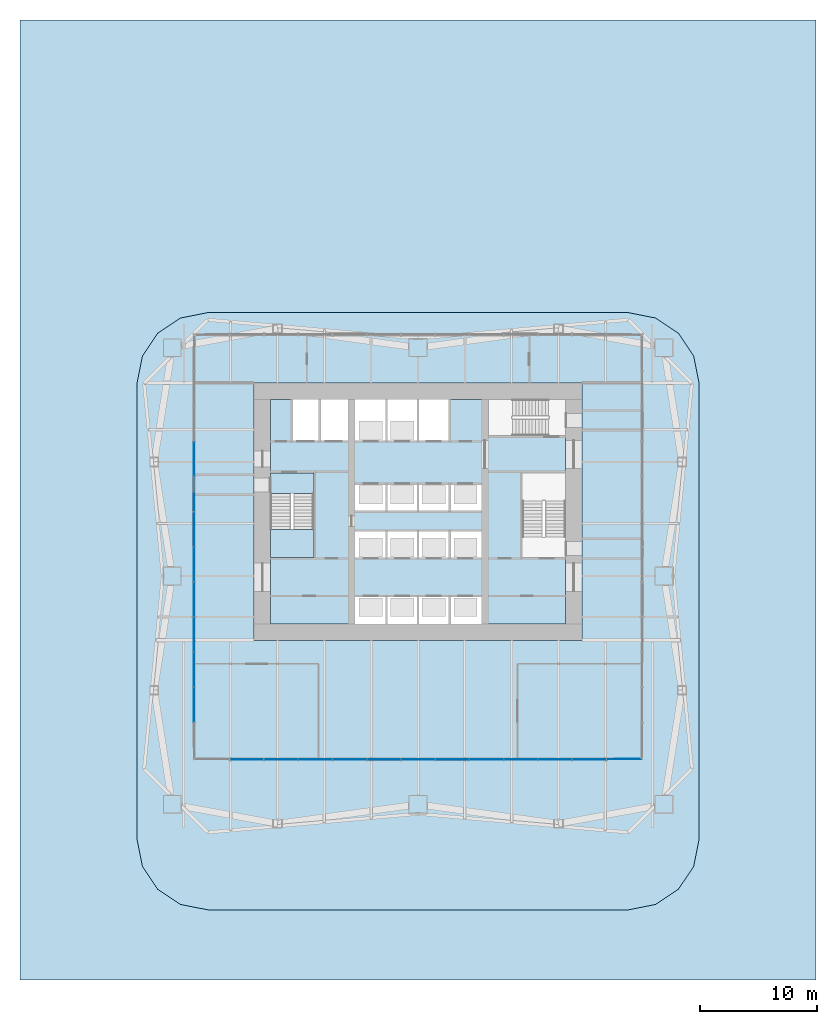
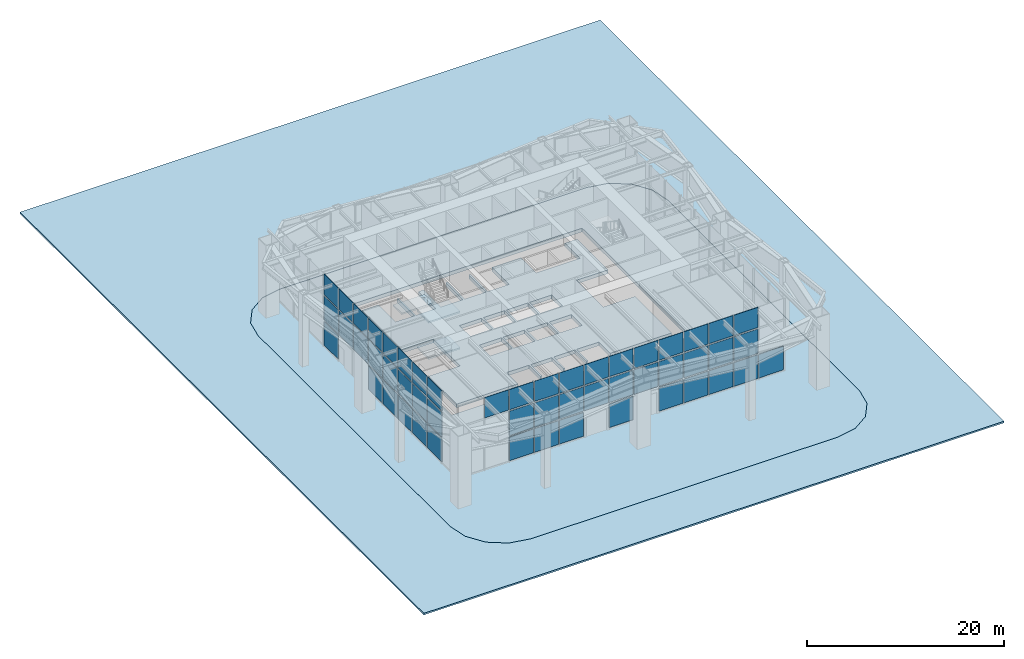
# One storey, part 5 of 13: 52 plates, 6 slabs, 3 elements without a shape of their own.
"""IFC4 building model written with IfcOpenShell, lengths in metres."""

from ifc_helpers import new_model, si_unit, direction, frame, origin, origin_2d, place, context, subcontext, project, spatial, polyline, rectangle, outline, extrude, material, layer, layer_set, type_object, element, aggregate, save


model = new_model("IFC4")

# Units and contexts
model_context = context("Model", 3, precision=1e-05, world=origin(), true_north=direction((0.0, 1.0)))
body_context = subcontext(model_context, "Body", "Model", "MODEL_VIEW")
ifc_project = project(units=[si_unit("LENGTHUNIT", "METRE"), si_unit("AREAUNIT", "SQUARE_METRE"), si_unit("VOLUMEUNIT", "CUBIC_METRE"), si_unit("PLANEANGLEUNIT", "RADIAN"), si_unit("MASSUNIT", "GRAM", prefix="KILO")], contexts=[model_context])

# Site, building, storey
site_placement = place(None, origin())
site = spatial("IfcSite", under=ifc_project, at=site_placement, CompositionType="ELEMENT")
building_placement = place(site_placement, origin())
building = spatial("IfcBuilding", under=site, at=building_placement, Name="Verdant Reach Tower", CompositionType="ELEMENT")
storey_placement = place(building_placement, origin())
storey = spatial("IfcBuildingStorey", under=building, at=storey_placement, Name="G", CompositionType="ELEMENT", Elevation=0.0)

# Stair, slabs
ifc_material_1 = material(Name="Concrete C40/50", Category="concrete")
stair_type = type_object("IfcStairType", Name="CO-STAIR", PredefinedType="HALF_TURN_STAIR", material=ifc_material_1)
stair_placement = place(storey_placement, origin())
stair = element("IfcStair", 1, at=stair_placement, inside=storey, type_object=stair_type, Name="G Exit stair 1", PredefinedType="HALF_TURN_STAIR")
ifc_layer_1 = layer(ifc_material_1, 0.199951171875)
ifc_layer_set_1 = layer_set([ifc_layer_1], Name="CO-STAIR-LANDING")
slab_type_1 = type_object("IfcSlabType", Name="CO-STAIR-LANDING", PredefinedType="LANDING", material=ifc_layer_set_1)
slab_1_placement = place(storey_placement, frame((0.0, 0.0, 2.050048828125)))
slab_1 = element("IfcSlab", 2, at=slab_1_placement, type_object=slab_type_1, Name="ST-1 landing 1", PredefinedType="LANDING", context=body_context, shape_type="SweptSolid", body=[
    extrude(outline(polyline([(-12.60009765625, 26.469970703125), (-12.60009765625, 24.10009765625), (-8.89990234375, 24.10009765625), (-8.89990234375, 26.469970703125), (-12.60009765625, 26.469970703125)])), origin(), (0.0, 0.0, 1.0), 0.199951171875),
])
slab_2_placement = place(storey_placement, frame((0.0, 0.0, 4.300048828125)))
slab_2 = element("IfcSlab", 3, at=slab_2_placement, type_object=slab_type_1, Name="ST-1 landing 2", PredefinedType="LANDING", context=body_context, shape_type="SweptSolid", body=[
    extrude(outline(polyline([(-12.60009765625, 31.300048828125), (-12.60009765625, 29.550048828125), (-8.89990234375, 29.550048828125), (-8.89990234375, 31.300048828125), (-12.60009765625, 31.300048828125)])), origin(), (0.0, 0.0, 1.0), 0.199951171875),
])
slab_3_placement = place(storey_placement, frame((0.0, 0.0, 6.550048828125)))
slab_3 = element("IfcSlab", 4, at=slab_3_placement, type_object=slab_type_1, Name="ST-1 landing 3", PredefinedType="LANDING", context=body_context, shape_type="SweptSolid", body=[
    extrude(outline(polyline([(-12.60009765625, 26.469970703125), (-12.60009765625, 24.10009765625), (-8.89990234375, 24.10009765625), (-8.89990234375, 26.469970703125), (-12.60009765625, 26.469970703125)])), origin(), (0.0, 0.0, 1.0), 0.199951171875),
])
aggregate(stair, [slab_1, slab_2, slab_3])

# Curtain wall, plates
ifc_material_2 = material(Name="Anodised aluminium", Category="aluminium")
curtain_wall_type = type_object("IfcCurtainWallType", Name="EN-CW SYSTEM LOBBY", PredefinedType="NOTDEFINED", material=ifc_material_2)
curtain_wall_1_placement = place(storey_placement, origin())
curtain_wall_1 = element("IfcCurtainWall", 5, at=curtain_wall_1_placement, inside=storey, type_object=curtain_wall_type, Name="Curtain wall south, G", PredefinedType="NOTDEFINED")
ifc_material_3 = material(Name="Clear laminated glass", Category="glass")
ifc_layer_2 = layer(ifc_material_3, 0.035888671875)
ifc_layer_set_2 = layer_set([ifc_layer_2], Name="EN-PANEL CLEAR")
plate_type = type_object("IfcPlateType", Name="EN-PANEL CLEAR", PredefinedType="CURTAIN_PANEL", material=ifc_layer_set_2)
plate_1_placement = place(storey_placement, frame((-14.615478515625, 6.85009765625, 6.490234375), z_axis=(0.0, 0.0, 1.0), x_axis=(1.0, 0.0, 0.0)))
plate_1 = element("IfcPlate", 6, at=plate_1_placement, type_object=plate_type, Name="Glass panel south face part 1 2.3, G", PredefinedType="CURTAIN_PANEL", context=body_context, shape_type="SweptSolid", body=[
    extrude(rectangle(XDim=2.8271484375, YDim=0.035888671875, at=origin_2d()), origin(), (0.0, 0.0, 1.0), 2.510009765625),
])
plate_2_placement = place(storey_placement, frame((-11.6923828125, 6.85009765625, 0.18017578125), z_axis=(0.0, 0.0, 1.0), x_axis=(1.0, 0.0, 0.0)))
plate_2 = element("IfcPlate", 7, at=plate_2_placement, type_object=plate_type, Name="Glass panel south face part 1 3.1, G", PredefinedType="CURTAIN_PANEL", context=body_context, shape_type="SweptSolid", body=[
    extrude(rectangle(XDim=2.8271484375, YDim=0.035888671875, at=origin_2d()), origin(), (0.0, 0.0, 1.0), 2.929931640625),
])
plate_3_placement = place(storey_placement, frame((-11.6923828125, 6.85009765625, 3.2900390625), z_axis=(0.0, 0.0, 1.0), x_axis=(1.0, 0.0, 0.0)))
plate_3 = element("IfcPlate", 8, at=plate_3_placement, type_object=plate_type, Name="Glass panel south face part 1 3.2, G", PredefinedType="CURTAIN_PANEL", context=body_context, shape_type="SweptSolid", body=[
    extrude(rectangle(XDim=2.8271484375, YDim=0.035888671875, at=origin_2d()), origin(), (0.0, 0.0, 1.0), 3.02001953125),
])
plate_4_placement = place(storey_placement, frame((-11.6923828125, 6.85009765625, 6.490234375), z_axis=(0.0, 0.0, 1.0), x_axis=(1.0, 0.0, 0.0)))
plate_4 = element("IfcPlate", 9, at=plate_4_placement, type_object=plate_type, Name="Glass panel south face part 1 3.3, G", PredefinedType="CURTAIN_PANEL", context=body_context, shape_type="SweptSolid", body=[
    extrude(rectangle(XDim=2.8271484375, YDim=0.035888671875, at=origin_2d()), origin(), (0.0, 0.0, 1.0), 2.510009765625),
])
plate_5_placement = place(storey_placement, frame((-8.769287109375, 6.85009765625, 0.18017578125), z_axis=(0.0, 0.0, 1.0), x_axis=(1.0, 0.0, 0.0)))
plate_5 = element("IfcPlate", 10, at=plate_5_placement, type_object=plate_type, Name="Glass panel south face part 1 4.1, G", PredefinedType="CURTAIN_PANEL", context=body_context, shape_type="SweptSolid", body=[
    extrude(rectangle(XDim=2.8271484375, YDim=0.035888671875, at=origin_2d()), origin(), (0.0, 0.0, 1.0), 2.929931640625),
])
plate_6_placement = place(storey_placement, frame((-8.769287109375, 6.85009765625, 3.2900390625), z_axis=(0.0, 0.0, 1.0), x_axis=(1.0, 0.0, 0.0)))
plate_6 = element("IfcPlate", 11, at=plate_6_placement, type_object=plate_type, Name="Glass panel south face part 1 4.2, G", PredefinedType="CURTAIN_PANEL", context=body_context, shape_type="SweptSolid", body=[
    extrude(rectangle(XDim=2.8271484375, YDim=0.035888671875, at=origin_2d()), origin(), (0.0, 0.0, 1.0), 3.02001953125),
])
plate_7_placement = place(storey_placement, frame((-8.769287109375, 6.85009765625, 6.490234375), z_axis=(0.0, 0.0, 1.0), x_axis=(1.0, 0.0, 0.0)))
plate_7 = element("IfcPlate", 12, at=plate_7_placement, type_object=plate_type, Name="Glass panel south face part 1 4.3, G", PredefinedType="CURTAIN_PANEL", context=body_context, shape_type="SweptSolid", body=[
    extrude(rectangle(XDim=2.8271484375, YDim=0.035888671875, at=origin_2d()), origin(), (0.0, 0.0, 1.0), 2.510009765625),
])
plate_8_placement = place(storey_placement, frame((-5.84619140625, 6.85009765625, 0.18017578125), z_axis=(0.0, 0.0, 1.0), x_axis=(1.0, 0.0, 0.0)))
plate_8 = element("IfcPlate", 13, at=plate_8_placement, type_object=plate_type, Name="Glass panel south face part 1 5.1, G", PredefinedType="CURTAIN_PANEL", context=body_context, shape_type="SweptSolid", body=[
    extrude(rectangle(XDim=2.8271484375, YDim=0.035888671875, at=origin_2d()), origin(), (0.0, 0.0, 1.0), 2.929931640625),
])
plate_9_placement = place(storey_placement, frame((-5.84619140625, 6.85009765625, 3.2900390625), z_axis=(0.0, 0.0, 1.0), x_axis=(1.0, 0.0, 0.0)))
plate_9 = element("IfcPlate", 14, at=plate_9_placement, type_object=plate_type, Name="Glass panel south face part 1 5.2, G", PredefinedType="CURTAIN_PANEL", context=body_context, shape_type="SweptSolid", body=[
    extrude(rectangle(XDim=2.8271484375, YDim=0.035888671875, at=origin_2d()), origin(), (0.0, 0.0, 1.0), 3.02001953125),
])
plate_10_placement = place(storey_placement, frame((-5.84619140625, 6.85009765625, 6.490234375), z_axis=(0.0, 0.0, 1.0), x_axis=(1.0, 0.0, 0.0)))
plate_10 = element("IfcPlate", 15, at=plate_10_placement, type_object=plate_type, Name="Glass panel south face part 1 5.3, G", PredefinedType="CURTAIN_PANEL", context=body_context, shape_type="SweptSolid", body=[
    extrude(rectangle(XDim=2.8271484375, YDim=0.035888671875, at=origin_2d()), origin(), (0.0, 0.0, 1.0), 2.510009765625),
])
plate_11_placement = place(storey_placement, frame((-2.923095703125, 6.85009765625, 3.2900390625), z_axis=(0.0, 0.0, 1.0), x_axis=(1.0, 0.0, 0.0)))
plate_11 = element("IfcPlate", 16, at=plate_11_placement, type_object=plate_type, Name="Glass panel south face part 1 6.2, G", PredefinedType="CURTAIN_PANEL", context=body_context, shape_type="SweptSolid", body=[
    extrude(rectangle(XDim=2.8271484375, YDim=0.035888671875, at=origin_2d()), origin(), (0.0, 0.0, 1.0), 3.02001953125),
])
plate_12_placement = place(storey_placement, frame((-2.923095703125, 6.85009765625, 6.490234375), z_axis=(0.0, 0.0, 1.0), x_axis=(1.0, 0.0, 0.0)))
plate_12 = element("IfcPlate", 17, at=plate_12_placement, type_object=plate_type, Name="Glass panel south face part 1 6.3, G", PredefinedType="CURTAIN_PANEL", context=body_context, shape_type="SweptSolid", body=[
    extrude(rectangle(XDim=2.8271484375, YDim=0.035888671875, at=origin_2d()), origin(), (0.0, 0.0, 1.0), 2.510009765625),
])
plate_13_placement = place(storey_placement, frame((0.0, 6.85009765625, 0.18017578125), z_axis=(0.0, 0.0, 1.0), x_axis=(1.0, 0.0, 0.0)))
plate_13 = element("IfcPlate", 18, at=plate_13_placement, type_object=plate_type, Name="Glass panel south face part 1 7.1, G", PredefinedType="CURTAIN_PANEL", context=body_context, shape_type="SweptSolid", body=[
    extrude(rectangle(XDim=2.8271484375, YDim=0.035888671875, at=origin_2d()), origin(), (0.0, 0.0, 1.0), 2.929931640625),
])
plate_14_placement = place(storey_placement, frame((0.0, 6.85009765625, 3.2900390625), z_axis=(0.0, 0.0, 1.0), x_axis=(1.0, 0.0, 0.0)))
plate_14 = element("IfcPlate", 19, at=plate_14_placement, type_object=plate_type, Name="Glass panel south face part 1 7.2, G", PredefinedType="CURTAIN_PANEL", context=body_context, shape_type="SweptSolid", body=[
    extrude(rectangle(XDim=2.8271484375, YDim=0.035888671875, at=origin_2d()), origin(), (0.0, 0.0, 1.0), 3.02001953125),
])
plate_15_placement = place(storey_placement, frame((0.0, 6.85009765625, 6.490234375), z_axis=(0.0, 0.0, 1.0), x_axis=(1.0, 0.0, 0.0)))
plate_15 = element("IfcPlate", 20, at=plate_15_placement, type_object=plate_type, Name="Glass panel south face part 1 7.3, G", PredefinedType="CURTAIN_PANEL", context=body_context, shape_type="SweptSolid", body=[
    extrude(rectangle(XDim=2.8271484375, YDim=0.035888671875, at=origin_2d()), origin(), (0.0, 0.0, 1.0), 2.510009765625),
])
plate_16_placement = place(storey_placement, frame((2.923095703125, 6.85009765625, 3.2900390625), z_axis=(0.0, 0.0, 1.0), x_axis=(1.0, 0.0, 0.0)))
plate_16 = element("IfcPlate", 21, at=plate_16_placement, type_object=plate_type, Name="Glass panel south face part 1 8.2, G", PredefinedType="CURTAIN_PANEL", context=body_context, shape_type="SweptSolid", body=[
    extrude(rectangle(XDim=2.8271484375, YDim=0.035888671875, at=origin_2d()), origin(), (0.0, 0.0, 1.0), 3.02001953125),
])
plate_17_placement = place(storey_placement, frame((2.923095703125, 6.85009765625, 6.490234375), z_axis=(0.0, 0.0, 1.0), x_axis=(1.0, 0.0, 0.0)))
plate_17 = element("IfcPlate", 22, at=plate_17_placement, type_object=plate_type, Name="Glass panel south face part 1 8.3, G", PredefinedType="CURTAIN_PANEL", context=body_context, shape_type="SweptSolid", body=[
    extrude(rectangle(XDim=2.8271484375, YDim=0.035888671875, at=origin_2d()), origin(), (0.0, 0.0, 1.0), 2.510009765625),
])
plate_18_placement = place(storey_placement, frame((5.84619140625, 6.85009765625, 0.18017578125), z_axis=(0.0, 0.0, 1.0), x_axis=(1.0, 0.0, 0.0)))
plate_18 = element("IfcPlate", 23, at=plate_18_placement, type_object=plate_type, Name="Glass panel south face part 1 9.1, G", PredefinedType="CURTAIN_PANEL", context=body_context, shape_type="SweptSolid", body=[
    extrude(rectangle(XDim=2.8271484375, YDim=0.035888671875, at=origin_2d()), origin(), (0.0, 0.0, 1.0), 2.929931640625),
])
plate_19_placement = place(storey_placement, frame((5.84619140625, 6.85009765625, 3.2900390625), z_axis=(0.0, 0.0, 1.0), x_axis=(1.0, 0.0, 0.0)))
plate_19 = element("IfcPlate", 24, at=plate_19_placement, type_object=plate_type, Name="Glass panel south face part 1 9.2, G", PredefinedType="CURTAIN_PANEL", context=body_context, shape_type="SweptSolid", body=[
    extrude(rectangle(XDim=2.8271484375, YDim=0.035888671875, at=origin_2d()), origin(), (0.0, 0.0, 1.0), 3.02001953125),
])
plate_20_placement = place(storey_placement, frame((5.84619140625, 6.85009765625, 6.490234375), z_axis=(0.0, 0.0, 1.0), x_axis=(1.0, 0.0, 0.0)))
plate_20 = element("IfcPlate", 25, at=plate_20_placement, type_object=plate_type, Name="Glass panel south face part 1 9.3, G", PredefinedType="CURTAIN_PANEL", context=body_context, shape_type="SweptSolid", body=[
    extrude(rectangle(XDim=2.8271484375, YDim=0.035888671875, at=origin_2d()), origin(), (0.0, 0.0, 1.0), 2.510009765625),
])
plate_21_placement = place(storey_placement, frame((8.769287109375, 6.85009765625, 0.18017578125), z_axis=(0.0, 0.0, 1.0), x_axis=(1.0, 0.0, 0.0)))
plate_21 = element("IfcPlate", 26, at=plate_21_placement, type_object=plate_type, Name="Glass panel south face part 1 10.1, G", PredefinedType="CURTAIN_PANEL", context=body_context, shape_type="SweptSolid", body=[
    extrude(rectangle(XDim=2.8271484375, YDim=0.035888671875, at=origin_2d()), origin(), (0.0, 0.0, 1.0), 2.929931640625),
])
plate_22_placement = place(storey_placement, frame((8.769287109375, 6.85009765625, 3.2900390625), z_axis=(0.0, 0.0, 1.0), x_axis=(1.0, 0.0, 0.0)))
plate_22 = element("IfcPlate", 27, at=plate_22_placement, type_object=plate_type, Name="Glass panel south face part 1 10.2, G", PredefinedType="CURTAIN_PANEL", context=body_context, shape_type="SweptSolid", body=[
    extrude(rectangle(XDim=2.8271484375, YDim=0.035888671875, at=origin_2d()), origin(), (0.0, 0.0, 1.0), 3.02001953125),
])
plate_23_placement = place(storey_placement, frame((8.769287109375, 6.85009765625, 6.490234375), z_axis=(0.0, 0.0, 1.0), x_axis=(1.0, 0.0, 0.0)))
plate_23 = element("IfcPlate", 28, at=plate_23_placement, type_object=plate_type, Name="Glass panel south face part 1 10.3, G", PredefinedType="CURTAIN_PANEL", context=body_context, shape_type="SweptSolid", body=[
    extrude(rectangle(XDim=2.8271484375, YDim=0.035888671875, at=origin_2d()), origin(), (0.0, 0.0, 1.0), 2.510009765625),
])
plate_24_placement = place(storey_placement, frame((11.6923828125, 6.85009765625, 0.18017578125), z_axis=(0.0, 0.0, 1.0), x_axis=(1.0, 0.0, 0.0)))
plate_24 = element("IfcPlate", 29, at=plate_24_placement, type_object=plate_type, Name="Glass panel south face part 1 11.1, G", PredefinedType="CURTAIN_PANEL", context=body_context, shape_type="SweptSolid", body=[
    extrude(rectangle(XDim=2.8271484375, YDim=0.035888671875, at=origin_2d()), origin(), (0.0, 0.0, 1.0), 2.929931640625),
])
plate_25_placement = place(storey_placement, frame((11.6923828125, 6.85009765625, 3.2900390625), z_axis=(0.0, 0.0, 1.0), x_axis=(1.0, 0.0, 0.0)))
plate_25 = element("IfcPlate", 30, at=plate_25_placement, type_object=plate_type, Name="Glass panel south face part 1 11.2, G", PredefinedType="CURTAIN_PANEL", context=body_context, shape_type="SweptSolid", body=[
    extrude(rectangle(XDim=2.8271484375, YDim=0.035888671875, at=origin_2d()), origin(), (0.0, 0.0, 1.0), 3.02001953125),
])
plate_26_placement = place(storey_placement, frame((11.6923828125, 6.85009765625, 6.490234375), z_axis=(0.0, 0.0, 1.0), x_axis=(1.0, 0.0, 0.0)))
plate_26 = element("IfcPlate", 31, at=plate_26_placement, type_object=plate_type, Name="Glass panel south face part 1 11.3, G", PredefinedType="CURTAIN_PANEL", context=body_context, shape_type="SweptSolid", body=[
    extrude(rectangle(XDim=2.8271484375, YDim=0.035888671875, at=origin_2d()), origin(), (0.0, 0.0, 1.0), 2.510009765625),
])
plate_27_placement = place(storey_placement, frame((14.615478515625, 6.85009765625, 0.18017578125), z_axis=(0.0, 0.0, 1.0), x_axis=(1.0, 0.0, 0.0)))
plate_27 = element("IfcPlate", 32, at=plate_27_placement, type_object=plate_type, Name="Glass panel south face part 1 12.1, G", PredefinedType="CURTAIN_PANEL", context=body_context, shape_type="SweptSolid", body=[
    extrude(rectangle(XDim=2.8271484375, YDim=0.035888671875, at=origin_2d()), origin(), (0.0, 0.0, 1.0), 2.929931640625),
])
plate_28_placement = place(storey_placement, frame((14.615478515625, 6.85009765625, 3.2900390625), z_axis=(0.0, 0.0, 1.0), x_axis=(1.0, 0.0, 0.0)))
plate_28 = element("IfcPlate", 33, at=plate_28_placement, type_object=plate_type, Name="Glass panel south face part 1 12.2, G", PredefinedType="CURTAIN_PANEL", context=body_context, shape_type="SweptSolid", body=[
    extrude(rectangle(XDim=2.8271484375, YDim=0.035888671875, at=origin_2d()), origin(), (0.0, 0.0, 1.0), 3.02001953125),
])
plate_29_placement = place(storey_placement, frame((14.615478515625, 6.85009765625, 6.490234375), z_axis=(0.0, 0.0, 1.0), x_axis=(1.0, 0.0, 0.0)))
plate_29 = element("IfcPlate", 34, at=plate_29_placement, type_object=plate_type, Name="Glass panel south face part 1 12.3, G", PredefinedType="CURTAIN_PANEL", context=body_context, shape_type="SweptSolid", body=[
    extrude(rectangle(XDim=2.8271484375, YDim=0.035888671875, at=origin_2d()), origin(), (0.0, 0.0, 1.0), 2.510009765625),
])
plate_30_placement = place(storey_placement, frame((17.591552734375, 6.8720703125, 0.18017578125), z_axis=(0.0, 0.0, 1.0), x_axis=(0.999894836966, 0.014502241536, 0.0)))
plate_30 = element("IfcPlate", 35, at=plate_30_placement, type_object=plate_type, Name="Glass panel south face part 1 13.1, G", PredefinedType="CURTAIN_PANEL", context=body_context, shape_type="SweptSolid", body=[
    extrude(rectangle(XDim=2.933349609375, YDim=0.035888671875, at=origin_2d()), origin(), (0.0, 0.0, 1.0), 2.929931640625),
])
aggregate(curtain_wall_1, [plate_1, plate_2, plate_3, plate_4, plate_5, plate_6, plate_7, plate_8, plate_9, plate_10, plate_11, plate_12, plate_13, plate_14, plate_15, plate_16, plate_17, plate_18, plate_19, plate_20, plate_21, plate_22, plate_23, plate_24, plate_25, plate_26, plate_27, plate_28, plate_29, plate_30])

curtain_wall_2_placement = place(storey_placement, origin())
curtain_wall_2 = element("IfcCurtainWall", 36, at=curtain_wall_2_placement, inside=storey, type_object=curtain_wall_type, Name="Curtain wall west, G", PredefinedType="NOTDEFINED")
plate_31_placement = place(storey_placement, frame((-19.14990234375, 32.5, 0.18017578125), z_axis=(0.0, 0.0, 1.0), x_axis=(0.0, -1.0, 0.0)))
plate_31 = element("IfcPlate", 37, at=plate_31_placement, type_object=plate_type, Name="Glass panel west face part 1 4.1, G", PredefinedType="CURTAIN_PANEL", context=body_context, shape_type="SweptSolid", body=[
    extrude(rectangle(XDim=2.904052734375, YDim=0.035888671875, at=origin_2d()), origin(), (0.0, 0.0, 1.0), 2.929931640625),
])
plate_32_placement = place(storey_placement, frame((-19.14990234375, 32.5, 3.2900390625), z_axis=(0.0, 0.0, 1.0), x_axis=(0.0, -1.0, 0.0)))
plate_32 = element("IfcPlate", 38, at=plate_32_placement, type_object=plate_type, Name="Glass panel west face part 1 4.2, G", PredefinedType="CURTAIN_PANEL", context=body_context, shape_type="SweptSolid", body=[
    extrude(rectangle(XDim=2.904052734375, YDim=0.035888671875, at=origin_2d()), origin(), (0.0, 0.0, 1.0), 3.02001953125),
])
plate_33_placement = place(storey_placement, frame((-19.14990234375, 32.5, 6.490234375), z_axis=(0.0, 0.0, 1.0), x_axis=(0.0, -1.0, 0.0)))
plate_33 = element("IfcPlate", 39, at=plate_33_placement, type_object=plate_type, Name="Glass panel west face part 1 4.3, G", PredefinedType="CURTAIN_PANEL", context=body_context, shape_type="SweptSolid", body=[
    extrude(rectangle(XDim=2.904052734375, YDim=0.035888671875, at=origin_2d()), origin(), (0.0, 0.0, 1.0), 2.510009765625),
])
plate_34_placement = place(storey_placement, frame((-19.14990234375, 29.5, 3.2900390625), z_axis=(0.0, 0.0, 1.0), x_axis=(0.0, -1.0, 0.0)))
plate_34 = element("IfcPlate", 40, at=plate_34_placement, type_object=plate_type, Name="Glass panel west face part 1 5.2, G", PredefinedType="CURTAIN_PANEL", context=body_context, shape_type="SweptSolid", body=[
    extrude(rectangle(XDim=2.904052734375, YDim=0.035888671875, at=origin_2d()), origin(), (0.0, 0.0, 1.0), 3.02001953125),
])
plate_35_placement = place(storey_placement, frame((-19.14990234375, 29.5, 6.490234375), z_axis=(0.0, 0.0, 1.0), x_axis=(0.0, -1.0, 0.0)))
plate_35 = element("IfcPlate", 41, at=plate_35_placement, type_object=plate_type, Name="Glass panel west face part 1 5.3, G", PredefinedType="CURTAIN_PANEL", context=body_context, shape_type="SweptSolid", body=[
    extrude(rectangle(XDim=2.904052734375, YDim=0.035888671875, at=origin_2d()), origin(), (0.0, 0.0, 1.0), 2.510009765625),
])
plate_36_placement = place(storey_placement, frame((-19.14990234375, 26.5, 3.2900390625), z_axis=(0.0, 0.0, 1.0), x_axis=(0.0, -1.0, 0.0)))
plate_36 = element("IfcPlate", 42, at=plate_36_placement, type_object=plate_type, Name="Glass panel west face part 1 6.2, G", PredefinedType="CURTAIN_PANEL", context=body_context, shape_type="SweptSolid", body=[
    extrude(rectangle(XDim=2.904052734375, YDim=0.035888671875, at=origin_2d()), origin(), (0.0, 0.0, 1.0), 3.02001953125),
])
plate_37_placement = place(storey_placement, frame((-19.14990234375, 26.5, 6.490234375), z_axis=(0.0, 0.0, 1.0), x_axis=(0.0, -1.0, 0.0)))
plate_37 = element("IfcPlate", 43, at=plate_37_placement, type_object=plate_type, Name="Glass panel west face part 1 6.3, G", PredefinedType="CURTAIN_PANEL", context=body_context, shape_type="SweptSolid", body=[
    extrude(rectangle(XDim=2.904052734375, YDim=0.035888671875, at=origin_2d()), origin(), (0.0, 0.0, 1.0), 2.510009765625),
])
plate_38_placement = place(storey_placement, frame((-19.14990234375, 23.5, 0.18017578125), z_axis=(0.0, 0.0, 1.0), x_axis=(0.0, -1.0, 0.0)))
plate_38 = element("IfcPlate", 44, at=plate_38_placement, type_object=plate_type, Name="Glass panel west face part 1 7.1, G", PredefinedType="CURTAIN_PANEL", context=body_context, shape_type="SweptSolid", body=[
    extrude(rectangle(XDim=2.904052734375, YDim=0.035888671875, at=origin_2d()), origin(), (0.0, 0.0, 1.0), 2.929931640625),
])
plate_39_placement = place(storey_placement, frame((-19.14990234375, 23.5, 3.2900390625), z_axis=(0.0, 0.0, 1.0), x_axis=(0.0, -1.0, 0.0)))
plate_39 = element("IfcPlate", 45, at=plate_39_placement, type_object=plate_type, Name="Glass panel west face part 1 7.2, G", PredefinedType="CURTAIN_PANEL", context=body_context, shape_type="SweptSolid", body=[
    extrude(rectangle(XDim=2.904052734375, YDim=0.035888671875, at=origin_2d()), origin(), (0.0, 0.0, 1.0), 3.02001953125),
])
plate_40_placement = place(storey_placement, frame((-19.14990234375, 23.5, 6.490234375), z_axis=(0.0, 0.0, 1.0), x_axis=(0.0, -1.0, 0.0)))
plate_40 = element("IfcPlate", 46, at=plate_40_placement, type_object=plate_type, Name="Glass panel west face part 1 7.3, G", PredefinedType="CURTAIN_PANEL", context=body_context, shape_type="SweptSolid", body=[
    extrude(rectangle(XDim=2.904052734375, YDim=0.035888671875, at=origin_2d()), origin(), (0.0, 0.0, 1.0), 2.510009765625),
])
plate_41_placement = place(storey_placement, frame((-19.14990234375, 20.5, 0.18017578125), z_axis=(0.0, 0.0, 1.0), x_axis=(0.0, -1.0, 0.0)))
plate_41 = element("IfcPlate", 47, at=plate_41_placement, type_object=plate_type, Name="Glass panel west face part 1 8.1, G", PredefinedType="CURTAIN_PANEL", context=body_context, shape_type="SweptSolid", body=[
    extrude(rectangle(XDim=2.904052734375, YDim=0.035888671875, at=origin_2d()), origin(), (0.0, 0.0, 1.0), 2.929931640625),
])
plate_42_placement = place(storey_placement, frame((-19.14990234375, 20.5, 3.2900390625), z_axis=(0.0, 0.0, 1.0), x_axis=(0.0, -1.0, 0.0)))
plate_42 = element("IfcPlate", 48, at=plate_42_placement, type_object=plate_type, Name="Glass panel west face part 1 8.2, G", PredefinedType="CURTAIN_PANEL", context=body_context, shape_type="SweptSolid", body=[
    extrude(rectangle(XDim=2.904052734375, YDim=0.035888671875, at=origin_2d()), origin(), (0.0, 0.0, 1.0), 3.02001953125),
])
plate_43_placement = place(storey_placement, frame((-19.14990234375, 20.5, 6.490234375), z_axis=(0.0, 0.0, 1.0), x_axis=(0.0, -1.0, 0.0)))
plate_43 = element("IfcPlate", 49, at=plate_43_placement, type_object=plate_type, Name="Glass panel west face part 1 8.3, G", PredefinedType="CURTAIN_PANEL", context=body_context, shape_type="SweptSolid", body=[
    extrude(rectangle(XDim=2.904052734375, YDim=0.035888671875, at=origin_2d()), origin(), (0.0, 0.0, 1.0), 2.510009765625),
])
plate_44_placement = place(storey_placement, frame((-19.14990234375, 17.5, 0.18017578125), z_axis=(0.0, 0.0, 1.0), x_axis=(0.0, -1.0, 0.0)))
plate_44 = element("IfcPlate", 50, at=plate_44_placement, type_object=plate_type, Name="Glass panel west face part 1 9.1, G", PredefinedType="CURTAIN_PANEL", context=body_context, shape_type="SweptSolid", body=[
    extrude(rectangle(XDim=2.904052734375, YDim=0.035888671875, at=origin_2d()), origin(), (0.0, 0.0, 1.0), 2.929931640625),
])
plate_45_placement = place(storey_placement, frame((-19.14990234375, 17.5, 3.2900390625), z_axis=(0.0, 0.0, 1.0), x_axis=(0.0, -1.0, 0.0)))
plate_45 = element("IfcPlate", 51, at=plate_45_placement, type_object=plate_type, Name="Glass panel west face part 1 9.2, G", PredefinedType="CURTAIN_PANEL", context=body_context, shape_type="SweptSolid", body=[
    extrude(rectangle(XDim=2.904052734375, YDim=0.035888671875, at=origin_2d()), origin(), (0.0, 0.0, 1.0), 3.02001953125),
])
plate_46_placement = place(storey_placement, frame((-19.14990234375, 17.5, 6.490234375), z_axis=(0.0, 0.0, 1.0), x_axis=(0.0, -1.0, 0.0)))
plate_46 = element("IfcPlate", 52, at=plate_46_placement, type_object=plate_type, Name="Glass panel west face part 1 9.3, G", PredefinedType="CURTAIN_PANEL", context=body_context, shape_type="SweptSolid", body=[
    extrude(rectangle(XDim=2.904052734375, YDim=0.035888671875, at=origin_2d()), origin(), (0.0, 0.0, 1.0), 2.510009765625),
])
plate_47_placement = place(storey_placement, frame((-19.14990234375, 14.5, 0.18017578125), z_axis=(0.0, 0.0, 1.0), x_axis=(0.0, -1.0, 0.0)))
plate_47 = element("IfcPlate", 53, at=plate_47_placement, type_object=plate_type, Name="Glass panel west face part 1 10.1, G", PredefinedType="CURTAIN_PANEL", context=body_context, shape_type="SweptSolid", body=[
    extrude(rectangle(XDim=2.904052734375, YDim=0.035888671875, at=origin_2d()), origin(), (0.0, 0.0, 1.0), 2.929931640625),
])
plate_48_placement = place(storey_placement, frame((-19.14990234375, 14.5, 3.2900390625), z_axis=(0.0, 0.0, 1.0), x_axis=(0.0, -1.0, 0.0)))
plate_48 = element("IfcPlate", 54, at=plate_48_placement, type_object=plate_type, Name="Glass panel west face part 1 10.2, G", PredefinedType="CURTAIN_PANEL", context=body_context, shape_type="SweptSolid", body=[
    extrude(rectangle(XDim=2.904052734375, YDim=0.035888671875, at=origin_2d()), origin(), (0.0, 0.0, 1.0), 3.02001953125),
])
plate_49_placement = place(storey_placement, frame((-19.14990234375, 14.5, 6.490234375), z_axis=(0.0, 0.0, 1.0), x_axis=(0.0, -1.0, 0.0)))
plate_49 = element("IfcPlate", 55, at=plate_49_placement, type_object=plate_type, Name="Glass panel west face part 1 10.3, G", PredefinedType="CURTAIN_PANEL", context=body_context, shape_type="SweptSolid", body=[
    extrude(rectangle(XDim=2.904052734375, YDim=0.035888671875, at=origin_2d()), origin(), (0.0, 0.0, 1.0), 2.510009765625),
])
plate_50_placement = place(storey_placement, frame((-19.14990234375, 11.5, 0.18017578125), z_axis=(0.0, 0.0, 1.0), x_axis=(0.0, -1.0, 0.0)))
plate_50 = element("IfcPlate", 56, at=plate_50_placement, type_object=plate_type, Name="Glass panel west face part 1 11.1, G", PredefinedType="CURTAIN_PANEL", context=body_context, shape_type="SweptSolid", body=[
    extrude(rectangle(XDim=2.904052734375, YDim=0.035888671875, at=origin_2d()), origin(), (0.0, 0.0, 1.0), 2.929931640625),
])
plate_51_placement = place(storey_placement, frame((-19.14990234375, 11.5, 3.2900390625), z_axis=(0.0, 0.0, 1.0), x_axis=(0.0, -1.0, 0.0)))
plate_51 = element("IfcPlate", 57, at=plate_51_placement, type_object=plate_type, Name="Glass panel west face part 1 11.2, G", PredefinedType="CURTAIN_PANEL", context=body_context, shape_type="SweptSolid", body=[
    extrude(rectangle(XDim=2.904052734375, YDim=0.035888671875, at=origin_2d()), origin(), (0.0, 0.0, 1.0), 3.02001953125),
])
plate_52_placement = place(storey_placement, frame((-19.14990234375, 11.5, 6.490234375), z_axis=(0.0, 0.0, 1.0), x_axis=(0.0, -1.0, 0.0)))
plate_52 = element("IfcPlate", 58, at=plate_52_placement, type_object=plate_type, Name="Glass panel west face part 1 11.3, G", PredefinedType="CURTAIN_PANEL", context=body_context, shape_type="SweptSolid", body=[
    extrude(rectangle(XDim=2.904052734375, YDim=0.035888671875, at=origin_2d()), origin(), (0.0, 0.0, 1.0), 2.510009765625),
])
aggregate(curtain_wall_2, [plate_31, plate_32, plate_33, plate_34, plate_35, plate_36, plate_37, plate_38, plate_39, plate_40, plate_41, plate_42, plate_43, plate_44, plate_45, plate_46, plate_47, plate_48, plate_49, plate_50, plate_51, plate_52])

# Slabs
ifc_material_4 = material(Name="Concrete C30/37 with granite paving", Category="masonry")
ifc_layer_3 = layer(ifc_material_4, 0.199951171875)
ifc_layer_set_3 = layer_set([ifc_layer_3], Name="EN-PLAZA PAVING")
slab_type_2 = type_object("IfcSlabType", Name="EN-PLAZA PAVING", PredefinedType="USERDEFINED", material=ifc_layer_set_3)
slab_4_placement = place(storey_placement, frame((0.0, 0.0, -0.199951171875)))
element("IfcSlab", 59, at=slab_4_placement, inside=storey, type_object=slab_type_2, Name="Plaza paving", ObjectType="PAVING", PredefinedType="USERDEFINED", context=body_context, shape_type="SweptSolid", body=[
    extrude(outline(polyline([(-34.0, -12.0), (-34.0, 70.0), (34.0, 70.0), (34.0, -12.0), (-34.0, -12.0)]), holes=[polyline([(20.296142578125, -5.543212890625), (22.24267578125, -4.24267578125), (23.543212890625, -2.296142578125), (24.0, 0.0), (24.0, 39.0), (23.543212890625, 41.296142578125), (22.24267578125, 43.24267578125), (20.296142578125, 44.543212890625), (18.0, 45.0), (-18.0, 45.0), (-20.296142578125, 44.543212890625), (-22.24267578125, 43.24267578125), (-23.543212890625, 41.296142578125), (-24.0, 39.0), (-24.0, 0.0), (-23.543212890625, -2.296142578125), (-22.24267578125, -4.24267578125), (-20.296142578125, -5.543212890625), (-18.0, -6.0), (18.0, -6.0), (20.296142578125, -5.543212890625)])]), origin(), (0.0, 0.0, 1.0), 0.199951171875),
])
ifc_material_5 = material(Name="Concrete C35/45", Category="concrete")
ifc_layer_4 = layer(ifc_material_5, 0.449951171875)
ifc_layer_set_4 = layer_set([ifc_layer_4], Name="ST-SLAB-450")
slab_type_3 = type_object("IfcSlabType", Name="ST-SLAB-450", PredefinedType="FLOOR", material=ifc_layer_set_4)
slab_5_placement = place(storey_placement, frame((0.0, 0.0, -0.449951171875)))
element("IfcSlab", 60, at=slab_5_placement, inside=storey, type_object=slab_type_3, Name="Floor slab G", PredefinedType="FLOOR", context=body_context, shape_type="SweptSolid", body=[
    extrude(outline(polyline([(-18.0, -6.0), (-20.296142578125, -5.543212890625), (-22.24267578125, -4.24267578125), (-23.543212890625, -2.296142578125), (-24.0, 0.0), (-24.0, 39.0), (-23.543212890625, 41.296142578125), (-22.24267578125, 43.24267578125), (-20.296142578125, 44.543212890625), (-18.0, 45.0), (18.0, 45.0), (20.296142578125, 44.543212890625), (22.24267578125, 43.24267578125), (23.543212890625, 41.296142578125), (24.0, 39.0), (24.0, 0.0), (23.543212890625, -2.296142578125), (22.24267578125, -4.24267578125), (20.296142578125, -5.543212890625), (18.0, -6.0), (-18.0, -6.0)]), holes=[polyline([(14.0, 39.0), (-14.0, 39.0), (-14.0, 17.0), (14.0, 17.0), (14.0, 39.0)])]), origin(), (0.0, 0.0, 1.0), 0.449951171875),
])
slab_6_placement = place(storey_placement, frame((0.0, 0.0, -0.449951171875)))
element("IfcSlab", 61, at=slab_6_placement, inside=storey, type_object=slab_type_3, Name="Core floor slab G", PredefinedType="FLOOR", context=body_context, shape_type="SweptSolid", body=[
    extrude(outline(polyline([(12.60009765625, 18.39990234375), (5.39990234375, 18.39990234375), (5.39990234375, 20.699951171875), (2.800048828125, 20.699951171875), (2.800048828125, 18.39990234375), (2.60009765625, 18.39990234375), (2.60009765625, 20.699951171875), (0.10009765625, 20.699951171875), (0.10009765625, 18.39990234375), (-0.10009765625, 18.39990234375), (-0.10009765625, 20.699951171875), (-2.60009765625, 20.699951171875), (-2.60009765625, 18.39990234375), (-2.800048828125, 18.39990234375), (-2.800048828125, 20.699951171875), (-5.39990234375, 20.699951171875), (-5.39990234375, 18.39990234375), (-12.60009765625, 18.39990234375), (-12.60009765625, 24.10009765625), (-8.89990234375, 24.10009765625), (-8.89990234375, 29.548095703125), (-12.60009765625, 29.548095703125), (-12.60009765625, 37.60009765625), (-10.699951171875, 37.60009765625), (-10.699951171875, 34.10009765625), (-8.5, 34.10009765625), (-8.5, 37.60009765625), (-8.300048828125, 37.60009765625), (-8.300048828125, 34.10009765625), (-6.0, 34.10009765625), (-6.0, 37.60009765625), (-5.39990234375, 37.60009765625), (-5.39990234375, 34.10009765625), (-2.800048828125, 34.10009765625), (-2.800048828125, 37.60009765625), (-2.60009765625, 37.60009765625), (-2.60009765625, 34.10009765625), (-0.10009765625, 34.10009765625), (-0.10009765625, 37.60009765625), (0.10009765625, 37.60009765625), (0.10009765625, 34.10009765625), (2.60009765625, 34.10009765625), (2.60009765625, 37.60009765625), (6.0, 37.60009765625), (6.0, 34.5), (11.14794921875, 34.5), (11.14794921875, 37.60009765625), (12.60009765625, 37.60009765625), (12.60009765625, 31.300048828125), (8.89990234375, 31.300048828125), (8.89990234375, 25.85205078125), (12.60009765625, 25.85205078125), (12.60009765625, 18.39990234375)]), holes=[polyline([(-2.800048828125, 24.10009765625), (-2.800048828125, 26.300048828125), (-5.39990234375, 26.300048828125), (-5.39990234375, 24.10009765625), (-2.800048828125, 24.10009765625)]), polyline([(-2.60009765625, 24.10009765625), (-0.10009765625, 24.10009765625), (-0.10009765625, 26.300048828125), (-2.60009765625, 26.300048828125), (-2.60009765625, 24.10009765625)]), polyline([(-2.800048828125, 28.10009765625), (-2.800048828125, 30.300048828125), (-5.39990234375, 30.300048828125), (-5.39990234375, 28.10009765625), (-2.800048828125, 28.10009765625)]), polyline([(-0.10009765625, 28.10009765625), (-0.10009765625, 30.300048828125), (-2.60009765625, 30.300048828125), (-2.60009765625, 28.10009765625), (-0.10009765625, 28.10009765625)]), polyline([(2.60009765625, 24.10009765625), (2.60009765625, 26.300048828125), (0.10009765625, 26.300048828125), (0.10009765625, 24.10009765625), (2.60009765625, 24.10009765625)]), polyline([(2.800048828125, 24.10009765625), (5.39990234375, 24.10009765625), (5.39990234375, 26.300048828125), (2.800048828125, 26.300048828125), (2.800048828125, 24.10009765625)]), polyline([(2.60009765625, 28.10009765625), (2.60009765625, 30.300048828125), (0.10009765625, 30.300048828125), (0.10009765625, 28.10009765625), (2.60009765625, 28.10009765625)]), polyline([(5.39990234375, 28.10009765625), (5.39990234375, 30.300048828125), (2.800048828125, 30.300048828125), (2.800048828125, 28.10009765625), (5.39990234375, 28.10009765625)])]), origin(), (0.0, 0.0, 1.0), 0.449951171875),
])

save(model, "model.ifc")
